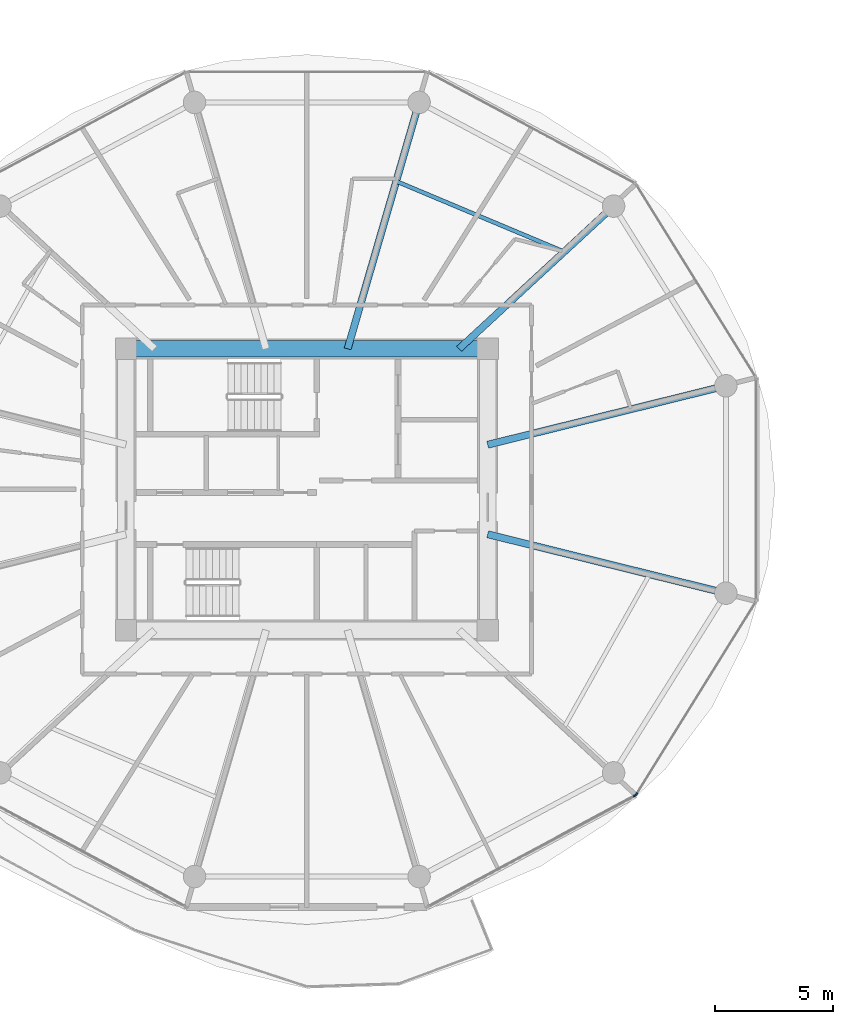
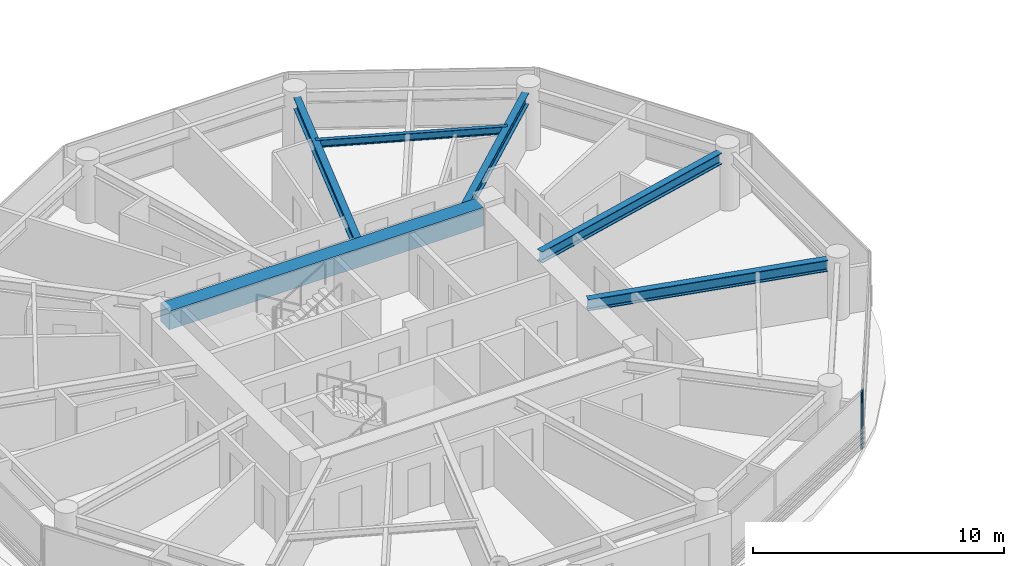
# One storey, part 5 of 27: 6 beams, 2 members, 2 elements without a shape of their own.
"""IFC4 building model written with IfcOpenShell, lengths in metres."""

from ifc_helpers import new_model, si_unit, direction, frame, origin, origin_2d, place, context, subcontext, project, spatial, rectangle, i_section, extrude, source, transform, mapped, material, layer, layer_set, material_profile, profile_set, type_object, type_shapes, element, aggregate, save


model = new_model("IFC4")

# Units and contexts
model_context = context("Model", 3, precision=1e-05, world=origin(), true_north=direction((0.0, 1.0)))
body_context = subcontext(model_context, "Body", "Model", "MODEL_VIEW")
ifc_project = project(units=[si_unit("LENGTHUNIT", "METRE"), si_unit("AREAUNIT", "SQUARE_METRE"), si_unit("VOLUMEUNIT", "CUBIC_METRE"), si_unit("PLANEANGLEUNIT", "RADIAN"), si_unit("MASSUNIT", "GRAM", prefix="KILO")], contexts=[model_context])

# Site, building, storey
site_placement = place(None, origin())
site = spatial("IfcSite", under=ifc_project, at=site_placement, CompositionType="ELEMENT")
building_placement = place(site_placement, origin())
building = spatial("IfcBuilding", under=site, at=building_placement, Name="Norrkilde Senior Care Towers", CompositionType="ELEMENT")
storey_placement = place(building_placement, frame((0.0, 0.0, 46.0)))
storey = spatial("IfcBuildingStorey", under=building, at=storey_placement, Name="L13", CompositionType="ELEMENT", Elevation=46.0)

# Beams
ifc_material_1 = material(Name="Concrete C60/75", Category="concrete")
ifc_material_profile_1 = material_profile(ifc_material_1, rectangle(XDim=0.699951171875, YDim=0.89990234375, at=origin_2d()), Name="RC BM 700x900")
ifc_profile_set_1 = profile_set([ifc_material_profile_1], Name="Concrete C60/75")
beam_type_1 = type_object("IfcBeamType", Name="Core Coupling Girder 700x900", PredefinedType="USERDEFINED", material=ifc_profile_set_1)
shared_shape_1 = source(origin(), body_context, "Body", "SweptSolid", [
    extrude(rectangle(XDim=0.699951171875, YDim=0.89990234375, at=origin_2d()), origin(), (0.0, 0.0, 1.0), 14.43994140625),
])
type_shapes(beam_type_1, [shared_shape_1])
beam_1_placement = place(storey_placement, frame((-35.219970703125, 5.949951171875, 2.340087890625), z_axis=(1.0, 0.0, 0.0), x_axis=(0.0, 1.0, 0.0)))
element("IfcBeam", 1, at=beam_1_placement, inside=storey, type_object=beam_type_1, Name="L13 Core W N Coupling Girder", ObjectType="GIRDER", PredefinedType="USERDEFINED", context=body_context, shape_type="MappedRepresentation", body=[
    mapped(shared_shape_1, transform((0.0, 0.0, 0.0), x_axis=(1.0, 0.0, 0.0), y_axis=(0.0, 1.0, 0.0), z_axis=(0.0, 0.0, 1.0), scale=1.0)),
])
ifc_material_2 = material(Name="Steel S355", Category="steel")
ifc_material_profile_2 = material_profile(ifc_material_2, i_section(OverallWidth=0.300048828125, OverallDepth=0.550048828125, WebThickness=0.014892578125, FlangeThickness=0.029052734375, FilletRadius=0.027099609375, at=origin_2d()), Name="HEB 550")
ifc_profile_set_2 = profile_set([ifc_material_profile_2], Name="Steel S355")
beam_type_2 = type_object("IfcBeamType", Name="Radial Floor Beam Z1 HEB550", PredefinedType="BEAM", material=ifc_profile_set_2)
shared_shape_2 = source(origin(), body_context, "Body", "SweptSolid", [
    extrude(i_section(OverallWidth=0.300048828125, OverallDepth=0.550048828125, WebThickness=0.014892578125, FlangeThickness=0.029052734375, FilletRadius=0.027099609375, at=origin_2d()), origin(), (0.0, 0.0, 1.0), 9.94384765625),
])
for number, where, z_axis, x_axis, name in (
    (2, (-20.35009765625, 1.893310546875, 2.514892578125), (0.970707425182, 0.240264634718, 0.0), (-0.240264634718, 0.970707425182, 0.0), "L13 Drum W Radial Floor Beam 01"),
    (3, (-20.35009765625, -1.893310546875, 2.514892578125), (0.970707425182, -0.240264634718, 0.0), (0.240264634718, 0.970707425182, 0.0), "L13 Drum W Radial Floor Beam 12"),
):
    element("IfcBeam", number, at=place(storey_placement, frame(where, z_axis=z_axis, x_axis=x_axis)), inside=storey, type_object=beam_type_2, Name=name, PredefinedType="BEAM", context=body_context, shape_type="MappedRepresentation", body=[
        mapped(shared_shape_2, transform((0.0, 0.0, 0.0), x_axis=(1.0, 0.0, 0.0), y_axis=(0.0, 1.0, 0.0), z_axis=(0.0, 0.0, 1.0), scale=1.0)),
    ])
shared_shape_3 = source(origin(), body_context, "Body", "SweptSolid", [
    extrude(i_section(OverallWidth=0.300048828125, OverallDepth=0.550048828125, WebThickness=0.014892578125, FlangeThickness=0.029052734375, FilletRadius=0.027099609375, at=origin_2d()), origin(), (0.0, 0.0, 1.0), 8.459716796875),
])
beam_2_placement = place(storey_placement, frame((-21.55859375, 5.949951171875, 2.514892578125), z_axis=(0.734573269108, 0.678529374686, 0.0), x_axis=(-0.678529374686, 0.734573269108, 0.0)))
element("IfcBeam", 4, at=beam_2_placement, inside=storey, type_object=beam_type_2, Name="L13 Drum W Radial Floor Beam 02", PredefinedType="BEAM", context=body_context, shape_type="MappedRepresentation", body=[
    mapped(shared_shape_3, transform((0.0, 0.0, 0.0), x_axis=(1.0, 0.0, 0.0), y_axis=(0.0, 1.0, 0.0), z_axis=(0.0, 0.0, 1.0), scale=1.0)),
])
shared_shape_4 = source(origin(), body_context, "Body", "SweptSolid", [
    extrude(i_section(OverallWidth=0.300048828125, OverallDepth=0.550048828125, WebThickness=0.014892578125, FlangeThickness=0.029052734375, FilletRadius=0.027099609375, at=origin_2d()), origin(), (0.0, 0.0, 1.0), 10.4169921875),
])
type_shapes(beam_type_2, [shared_shape_2, shared_shape_3, shared_shape_4])
beam_3_placement = place(storey_placement, frame((-26.27392578125, 5.949951171875, 2.514892578125), z_axis=(0.278591250785, 0.960409764104, 0.0), x_axis=(-0.960409764104, 0.278591250785, 0.0)))
element("IfcBeam", 5, at=beam_3_placement, inside=storey, type_object=beam_type_2, Name="L13 Drum W Radial Floor Beam 03", PredefinedType="BEAM", context=body_context, shape_type="MappedRepresentation", body=[
    mapped(shared_shape_4, transform((0.0, 0.0, 0.0), x_axis=(1.0, 0.0, 0.0), y_axis=(0.0, 1.0, 0.0), z_axis=(0.0, 0.0, 1.0), scale=1.0)),
])
ifc_material_profile_3 = material_profile(ifc_material_2, i_section(OverallWidth=0.169921875, OverallDepth=0.360107421875, WebThickness=0.008056640625, FlangeThickness=0.0126953125, FilletRadius=0.01806640625, at=origin_2d()), Name="IPE 360")
ifc_profile_set_3 = profile_set([ifc_material_profile_3], Name="Steel S355")
beam_type_3 = type_object("IfcBeamType", Name="Secondary Floor Joist IPE360", PredefinedType="JOIST", material=ifc_profile_set_3)
shared_shape_5 = source(origin(), body_context, "Body", "SweptSolid", [
    extrude(i_section(OverallWidth=0.169921875, OverallDepth=0.360107421875, WebThickness=0.008056640625, FlangeThickness=0.0126953125, FilletRadius=0.01806640625, at=origin_2d()), origin(), (0.0, 0.0, 1.0), 7.703857421875),
])
type_shapes(beam_type_3, [shared_shape_5])
beam_4_placement = place(storey_placement, frame((-17.115478515625, 10.05419921875, 2.610107421875), z_axis=(-0.921982784465, 0.387230868023, 0.0), x_axis=(-0.387230868023, -0.921982784465, 0.0)))
element("IfcBeam", 6, at=beam_4_placement, inside=storey, type_object=beam_type_3, Name="L13 Drum W Secondary Floor Joist 1", PredefinedType="JOIST", context=body_context, shape_type="MappedRepresentation", body=[
    mapped(shared_shape_5, transform((0.0, 0.0, 0.0), x_axis=(1.0, 0.0, 0.0), y_axis=(0.0, 1.0, 0.0), z_axis=(0.0, 0.0, 1.0), scale=1.0)),
])

# Curtain wall, member
ifc_material_3 = material(Name="Triple Low-E Insulated Glazing", Category="glass")
ifc_layer = layer(ifc_material_3, 0.199951171875)
ifc_layer_set = layer_set([ifc_layer], Name="Triple Low-E Insulated Glazing")
curtain_wall_type = type_object("IfcCurtainWallType", Name="CW2 Zone 1 Memory Care Curtain Wall", PredefinedType="NOTDEFINED", material=ifc_layer_set)
curtain_wall_1_placement = place(storey_placement, origin())
curtain_wall_1 = element("IfcCurtainWall", 7, at=curtain_wall_1_placement, inside=storey, type_object=curtain_wall_type, Name="L13 Drum W Curtain Wall 09", PredefinedType="NOTDEFINED")
ifc_material_4 = material(Name="Anodised Aluminium", Category="aluminium")
ifc_material_profile_4 = material_profile(ifc_material_4, rectangle(XDim=0.06494140625, YDim=0.159912109375, at=origin_2d()), Name="ALU MULL 65x160")
ifc_profile_set_4 = profile_set([ifc_material_profile_4], Name="Anodised Aluminium")
member_type = type_object("IfcMemberType", Name="Curtain Wall Mullion Z1-Z2 65x160", PredefinedType="MULLION", material=ifc_profile_set_4)
shared_shape_6 = source(origin(), body_context, "Body", "SweptSolid", [
    extrude(rectangle(XDim=0.06494140625, YDim=0.159912109375, at=origin_2d()), origin(), (0.0, 0.0, 1.0), 2.7900390625),
])
type_shapes(member_type, [shared_shape_6])
member_1_placement = place(storey_placement, frame((-14.11279296875, -12.941162109375, 0.0), z_axis=(0.0, 0.0, 1.0), x_axis=(0.472607802456, -0.881272866403, 0.0)))
member_1 = element("IfcMember", 8, at=member_1_placement, type_object=member_type, Name="CW-2 mullion 1", PredefinedType="MULLION", context=body_context, shape_type="MappedRepresentation", body=[
    mapped(shared_shape_6, transform((0.0, 0.0, 0.0), x_axis=(1.0, 0.0, 0.0), y_axis=(0.0, 1.0, 0.0), z_axis=(0.0, 0.0, 1.0), scale=1.0)),
])
aggregate(curtain_wall_1, [member_1])

curtain_wall_2_placement = place(storey_placement, origin())
curtain_wall_2 = element("IfcCurtainWall", 9, at=curtain_wall_2_placement, inside=storey, type_object=curtain_wall_type, Name="L13 Drum W Curtain Wall 10", PredefinedType="NOTDEFINED")
member_2_placement = place(storey_placement, frame((-14.06689453125, -12.898193359375, 0.0), z_axis=(0.0, 0.0, 1.0), x_axis=(0.849305943117, -0.527900951871, 0.0)))
member_2 = element("IfcMember", 10, at=member_2_placement, type_object=member_type, Name="CW-2 mullion 2", PredefinedType="MULLION", context=body_context, shape_type="MappedRepresentation", body=[
    mapped(shared_shape_6, transform((0.0, 0.0, 0.0), x_axis=(1.0, 0.0, 0.0), y_axis=(0.0, 1.0, 0.0), z_axis=(0.0, 0.0, 1.0), scale=1.0)),
])
aggregate(curtain_wall_2, [member_2])

save(model, "model.ifc")
